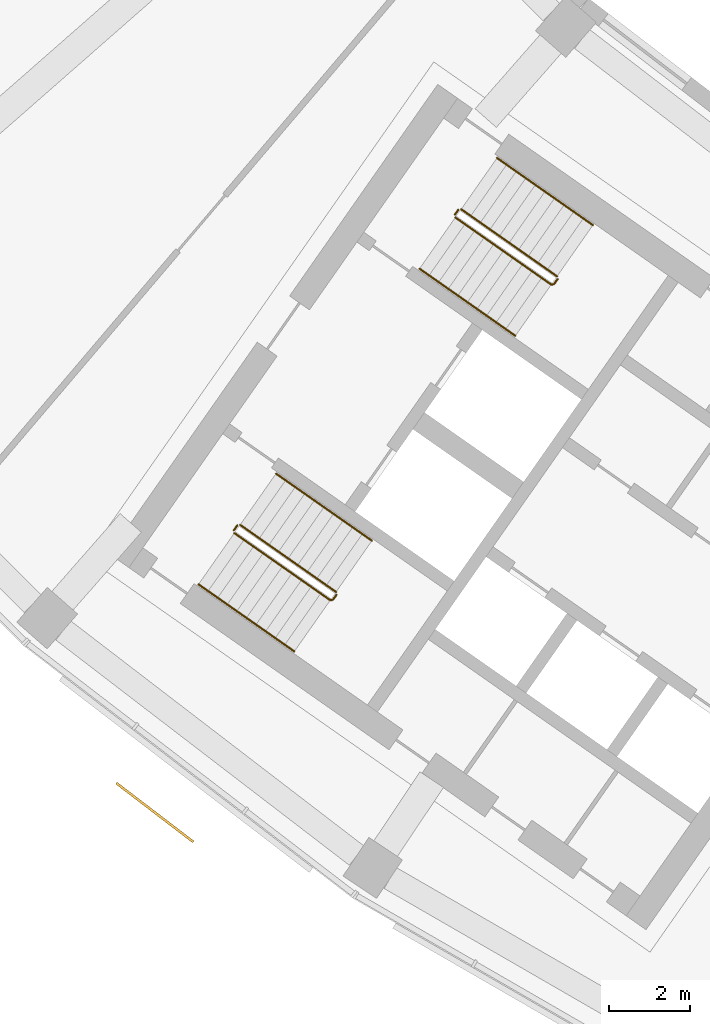
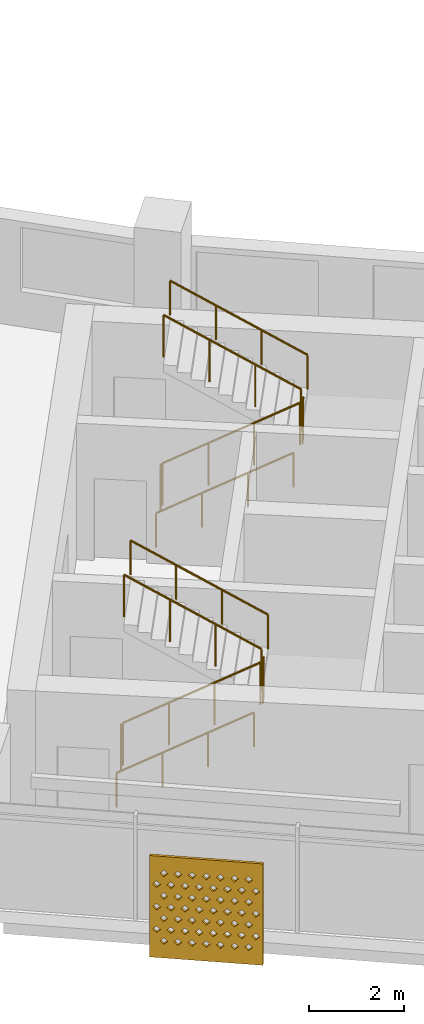
# One storey, part 23 of 27: 10 railings, 1 shading device.
"""IFC4 building model written with IfcOpenShell, lengths in metres."""

import ifcopenshell
import ifcopenshell.guid

model = None  # the IFC model being written
_history = None  # IfcOwnerHistory: only IFC2X3 demands one
_inside = {}  # id of a spatial element -> (the spatial element, [elements in it])
_under = {}  # id of a project, library or spatial element -> (it, [spatial elements below it])
_declared = {}  # id of a project -> (the project, [libraries it declares])
_typed = {}  # id of a type object -> (the type object, [elements of that type])
_made_of = {}  # id of a material, layer set ... -> (it, [elements and type objects made of it])


def new_model(schema):
    """Start an empty IFC model of exactly this schema.

    Asked for "IFC4X3", IfcOpenShell would pick the latest addendum, in which some entities
    have other attributes; the version numbers below select the first issue.
    IFC2X3 requires an IfcOwnerHistory on every rooted entity: one is made here for all.
    """
    global model, _history
    if schema == "IFC4X3":
        model = ifcopenshell.file(schema_version=(4, 3, 0, 0))
    else:
        model = ifcopenshell.file(schema=schema)
    _inside.clear()
    _under.clear()
    _declared.clear()
    _typed.clear()
    _made_of.clear()
    _history = None
    if model.schema == "IFC2X3":
        org = make("IfcOrganization", Name="unknown")
        user = make(
            "IfcPersonAndOrganization",
            ThePerson=make("IfcPerson", FamilyName="unknown"),
            TheOrganization=org,
        )
        app = make(
            "IfcApplication",
            ApplicationDeveloper=org,
            Version="unknown",
            ApplicationFullName="unknown",
            ApplicationIdentifier="unknown",
        )
        _history = make(
            "IfcOwnerHistory",
            OwningUser=user,
            OwningApplication=app,
            ChangeAction="ADDED",
            CreationDate=0,
        )
    return model


def make(cls, **values):
    """One entity of the class cls with the attributes given. An attribute that is None is left unset."""
    return model.create_entity(
        cls, **{name: value for name, value in values.items() if value is not None}
    )


def rooted(cls, **values):
    """An entity with a GlobalId (a new one), such as an element, a storey or a relation."""
    return make(cls, GlobalId=ifcopenshell.guid.new(), OwnerHistory=_history, **values)


def si_unit(unit_type, name, prefix=None):
    """IfcSIUnit, for example si_unit("LENGTHUNIT", "METRE", prefix="MILLI")."""
    return make("IfcSIUnit", UnitType=unit_type, Prefix=prefix, Name=name)


def assignment(units):
    """IfcUnitAssignment: the units of a project."""
    return None if units is None else make("IfcUnitAssignment", Units=units)


def point(xyz):
    """IfcCartesianPoint."""
    return None if xyz is None else make("IfcCartesianPoint", Coordinates=xyz)


def direction(xyz):
    """IfcDirection."""
    return None if xyz is None else make("IfcDirection", DirectionRatios=xyz)


def frame(location, z_axis=None, x_axis=None):
    """IfcAxis2Placement3D, a coordinate frame: its origin and axes. An axis left out is left unset."""
    return make(
        "IfcAxis2Placement3D",
        Location=point(location),
        Axis=direction(z_axis),
        RefDirection=direction(x_axis),
    )


def frame_2d(location, x_axis=None):
    """IfcAxis2Placement2D, a coordinate frame in the plane: its origin and x axis."""
    return make(
        "IfcAxis2Placement2D", Location=point(location), RefDirection=direction(x_axis)
    )


def origin():
    """The frame at (0, 0, 0) with its axes left unset."""
    return frame((0.0, 0.0, 0.0))


def origin_2d():
    """The frame at (0, 0) in the plane with its x axis left unset."""
    return frame_2d((0.0, 0.0))


def place(relative_to, where):
    """IfcLocalPlacement: puts the frame where relative to a parent placement (None: the world)."""
    return make(
        "IfcLocalPlacement", PlacementRelTo=relative_to, RelativePlacement=where
    )


def context(
    kind, dimensions, precision=None, world=None, true_north=None, identifier=None
):
    """IfcGeometricRepresentationContext, for example the 3D "Model" context."""
    return make(
        "IfcGeometricRepresentationContext",
        ContextIdentifier=identifier,
        ContextType=kind,
        CoordinateSpaceDimension=dimensions,
        Precision=precision,
        WorldCoordinateSystem=world,
        TrueNorth=true_north,
    )


def subcontext(parent, identifier, kind, view, scale=None):
    """IfcGeometricRepresentationSubContext, for example "Body" below "Model"."""
    return make(
        "IfcGeometricRepresentationSubContext",
        ContextIdentifier=identifier,
        ContextType=kind,
        ParentContext=parent,
        TargetScale=scale,
        TargetView=view,
    )


def project(units=None, contexts=None):
    """IfcProject with its units and contexts."""
    return rooted(
        "IfcProject",
        Name="project",
        RepresentationContexts=contexts,
        UnitsInContext=assignment(units),
    )


def spatial(cls, under=None, at=None, **own):
    """A site, building, storey or space (cls), placed at a placement, below another one or the project."""
    s = rooted(cls, ObjectPlacement=at, **own)
    if under is not None:
        _under.setdefault(under.id(), (under, []))[1].append(s)
    return s


def polyline(points):
    """IfcPolyline through the points."""
    return make("IfcPolyline", Points=[point(p) for p in points])


def profile(cls, at=None, kind="AREA", **sizes):
    """A parametric profile (cls). Its sizes go by their IFC names, for example OverallWidth=200.0."""
    return make(cls, ProfileType=kind, Position=at, **sizes)


def circle(**sizes):
    """IfcCircleProfileDef."""
    return profile("IfcCircleProfileDef", **sizes)


def outline(outer, holes=None, kind="AREA"):
    """IfcArbitraryClosedProfileDef: a profile drawn as a closed curve; with holes, ...WithVoids."""
    if holes is None:
        return make("IfcArbitraryClosedProfileDef", ProfileType=kind, OuterCurve=outer)
    return make(
        "IfcArbitraryProfileDefWithVoids",
        ProfileType=kind,
        OuterCurve=outer,
        InnerCurves=holes,
    )


def extrude(swept, where, along, depth):
    """IfcExtrudedAreaSolid: the profile swept, set in the frame where, extruded along a direction by depth."""
    return make(
        "IfcExtrudedAreaSolid",
        SweptArea=swept,
        Position=where,
        ExtrudedDirection=direction(along),
        Depth=depth,
    )


def shape(context_of_items, identifier, shape_type, items):
    """IfcShapeRepresentation: the items that make up one representation, for example the "Body"."""
    return make(
        "IfcShapeRepresentation",
        ContextOfItems=context_of_items,
        RepresentationIdentifier=identifier,
        RepresentationType=shape_type,
        Items=items,
    )


def material(Name=None, Category=None):
    """IfcMaterial."""
    return make("IfcMaterial", Name=Name, Category=Category)


def material_profile(
    of_material, cross_section, Name=None, Category=None, Priority=None
):
    """IfcMaterialProfile: a cross section and its material."""
    return make(
        "IfcMaterialProfile",
        Name=Name,
        Material=of_material,
        Profile=cross_section,
        Priority=Priority,
        Category=Category,
    )


def profile_set(profiles, Name=None, composite=None):
    """IfcMaterialProfileSet."""
    return make(
        "IfcMaterialProfileSet",
        Name=Name,
        MaterialProfiles=profiles,
        CompositeProfile=composite,
    )


def made_of(thing, what):
    """Note that an element or type object is made of a material, layer set ...; save() writes the relation."""
    if what is not None:
        _made_of.setdefault(what.id(), (what, []))[1].append(thing)
    return thing


def type_object(cls, material=None, **own):
    """A type object (cls), such as IfcWallType, which elements share."""
    return made_of(rooted(cls, **own), material)


def element(
    cls,
    number,
    at=None,
    inside=None,
    cuts=None,
    type_object=None,
    material=None,
    context=None,
    identifier="Body",
    shape_type=None,
    held_by="IfcProductDefinitionShape",
    body=None,
    shapes=None,
    **own,
):
    """One element of the class cls, such as IfcWall. Its Tag is "e" and its number.

    at: its placement. inside: the storey or other place that contains it. cuts: it is an
    opening in that element (IfcRelVoidsElement). A single representation is given by context,
    identifier, shape_type and body (its items); several are given by shapes. held_by: the class
    of the entity that holds the representations. save() writes the other relations.
    """
    e = rooted(cls, Tag="e%d" % number, ObjectPlacement=at, **own)
    if body is not None:
        shapes = [shape(context, identifier, shape_type, body)]
    if shapes is not None:
        e.Representation = make(held_by, Representations=shapes)
    if inside is not None:
        _inside.setdefault(inside.id(), (inside, []))[1].append(e)
    if cuts is not None:
        rooted(
            "IfcRelVoidsElement", RelatingBuildingElement=cuts, RelatedOpeningElement=e
        )
    if type_object is not None:
        _typed.setdefault(type_object.id(), (type_object, []))[1].append(e)
    return made_of(e, material)


def aggregate(whole, parts):
    """IfcRelAggregates: a whole, such as a stair, and the parts it consists of."""
    return rooted("IfcRelAggregates", RelatingObject=whole, RelatedObjects=parts)


def save(model, path):
    """Write the relations noted so far, then the file.

    IfcRelAggregates (storeys below a building ...), IfcRelContainedInSpatialStructure (elements
    in a storey), IfcRelDefinesByType, IfcRelAssociatesMaterial and IfcRelDeclares: one each for
    every whole, place, type object, material and project.
    """
    for whole, parts in _under.values():
        aggregate(whole, parts)
    for where, things in _inside.values():
        rooted(
            "IfcRelContainedInSpatialStructure",
            RelatedElements=things,
            RelatingStructure=where,
        )
    for kind, things in _typed.values():
        rooted("IfcRelDefinesByType", RelatedObjects=things, RelatingType=kind)
    for what, things in _made_of.values():
        rooted("IfcRelAssociatesMaterial", RelatedObjects=things, RelatingMaterial=what)
    for by, libraries in _declared.values():
        rooted("IfcRelDeclares", RelatingContext=by, RelatedDefinitions=libraries)
    model.write(path)


model = new_model("IFC4")

# Units and contexts
model_context = context("Model", 3, precision=1e-05, world=origin(), true_north=direction((0.0, 1.0)))
body_context = subcontext(model_context, "Body", "Model", "MODEL_VIEW")
ifc_project = project(units=[si_unit("LENGTHUNIT", "METRE"), si_unit("AREAUNIT", "SQUARE_METRE"), si_unit("VOLUMEUNIT", "CUBIC_METRE"), si_unit("PLANEANGLEUNIT", "RADIAN"), si_unit("MASSUNIT", "GRAM", prefix="KILO")], contexts=[model_context])

# Site, building, storey
site_placement = place(None, origin())
site = spatial("IfcSite", under=ifc_project, at=site_placement, CompositionType="ELEMENT")
building_placement = place(site_placement, origin())
building = spatial("IfcBuilding", under=site, at=building_placement, Name="Qamariyya Broadcast Tower", CompositionType="ELEMENT")
storey_placement = place(building_placement, frame((0.0, 0.0, 222.699951171875)))
storey = spatial("IfcBuildingStorey", under=building, at=storey_placement, Name="L53", CompositionType="ELEMENT", Elevation=222.699951171875)

# Shading device
ifc_material_1 = material(Name="Perforated glazed terracotta", Category="masonry")
ifc_material_profile = material_profile(ifc_material_1, outline(polyline([(-1.199951171875, -1.300048828125), (1.199951171875, -1.300048828125), (1.199951171875, 1.300048828125), (-1.199951171875, 1.300048828125), (-1.199951171875, -1.300048828125)]), holes=[polyline([(-0.81494140625, -0.86669921875), (-0.89990234375, -0.78173828125), (-0.985107421875, -0.86669921875), (-0.89990234375, -0.95166015625), (-0.81494140625, -0.86669921875)]), polyline([(-0.514892578125, -0.86669921875), (-0.60009765625, -0.78173828125), (-0.68505859375, -0.86669921875), (-0.60009765625, -0.95166015625), (-0.514892578125, -0.86669921875)]), polyline([(-0.215087890625, -0.86669921875), (-0.300048828125, -0.78173828125), (-0.385009765625, -0.86669921875), (-0.300048828125, -0.95166015625), (-0.215087890625, -0.86669921875)]), polyline([(0.0849609375, -0.86669921875), (0.0, -0.78173828125), (-0.0849609375, -0.86669921875), (0.0, -0.95166015625), (0.0849609375, -0.86669921875)]), polyline([(0.385009765625, -0.86669921875), (0.300048828125, -0.78173828125), (0.215087890625, -0.86669921875), (0.300048828125, -0.95166015625), (0.385009765625, -0.86669921875)]), polyline([(0.68505859375, -0.86669921875), (0.60009765625, -0.78173828125), (0.514892578125, -0.86669921875), (0.60009765625, -0.95166015625), (0.68505859375, -0.86669921875)]), polyline([(0.985107421875, -0.86669921875), (0.89990234375, -0.78173828125), (0.81494140625, -0.86669921875), (0.89990234375, -0.95166015625), (0.985107421875, -0.86669921875)]), polyline([(-0.965087890625, -0.577880859375), (-1.050048828125, -0.49267578125), (-1.135009765625, -0.577880859375), (-1.050048828125, -0.662841796875), (-0.965087890625, -0.577880859375)]), polyline([(-0.6650390625, -0.577880859375), (-0.75, -0.49267578125), (-0.8349609375, -0.577880859375), (-0.75, -0.662841796875), (-0.6650390625, -0.577880859375)]), polyline([(-0.364990234375, -0.577880859375), (-0.449951171875, -0.49267578125), (-0.534912109375, -0.577880859375), (-0.449951171875, -0.662841796875), (-0.364990234375, -0.577880859375)]), polyline([(-0.06494140625, -0.577880859375), (-0.14990234375, -0.49267578125), (-0.235107421875, -0.577880859375), (-0.14990234375, -0.662841796875), (-0.06494140625, -0.577880859375)]), polyline([(0.235107421875, -0.577880859375), (0.14990234375, -0.49267578125), (0.06494140625, -0.577880859375), (0.14990234375, -0.662841796875), (0.235107421875, -0.577880859375)]), polyline([(0.534912109375, -0.577880859375), (0.449951171875, -0.49267578125), (0.364990234375, -0.577880859375), (0.449951171875, -0.662841796875), (0.534912109375, -0.577880859375)]), polyline([(0.8349609375, -0.577880859375), (0.75, -0.49267578125), (0.6650390625, -0.577880859375), (0.75, -0.662841796875), (0.8349609375, -0.577880859375)]), polyline([(1.135009765625, -0.577880859375), (1.050048828125, -0.49267578125), (0.965087890625, -0.577880859375), (1.050048828125, -0.662841796875), (1.135009765625, -0.577880859375)]), polyline([(-0.81494140625, -0.288818359375), (-0.89990234375, -0.203857421875), (-0.985107421875, -0.288818359375), (-0.89990234375, -0.373779296875), (-0.81494140625, -0.288818359375)]), polyline([(-0.514892578125, -0.288818359375), (-0.60009765625, -0.203857421875), (-0.68505859375, -0.288818359375), (-0.60009765625, -0.373779296875), (-0.514892578125, -0.288818359375)]), polyline([(-0.215087890625, -0.288818359375), (-0.300048828125, -0.203857421875), (-0.385009765625, -0.288818359375), (-0.300048828125, -0.373779296875), (-0.215087890625, -0.288818359375)]), polyline([(0.0849609375, -0.288818359375), (0.0, -0.203857421875), (-0.0849609375, -0.288818359375), (0.0, -0.373779296875), (0.0849609375, -0.288818359375)]), polyline([(0.385009765625, -0.288818359375), (0.300048828125, -0.203857421875), (0.215087890625, -0.288818359375), (0.300048828125, -0.373779296875), (0.385009765625, -0.288818359375)]), polyline([(0.68505859375, -0.288818359375), (0.60009765625, -0.203857421875), (0.514892578125, -0.288818359375), (0.60009765625, -0.373779296875), (0.68505859375, -0.288818359375)]), polyline([(0.985107421875, -0.288818359375), (0.89990234375, -0.203857421875), (0.81494140625, -0.288818359375), (0.89990234375, -0.373779296875), (0.985107421875, -0.288818359375)]), polyline([(-0.965087890625, 0.0), (-1.050048828125, 0.0849609375), (-1.135009765625, 0.0), (-1.050048828125, -0.0849609375), (-0.965087890625, 0.0)]), polyline([(-0.6650390625, 0.0), (-0.75, 0.0849609375), (-0.8349609375, 0.0), (-0.75, -0.0849609375), (-0.6650390625, 0.0)]), polyline([(-0.364990234375, 0.0), (-0.449951171875, 0.0849609375), (-0.534912109375, 0.0), (-0.449951171875, -0.0849609375), (-0.364990234375, 0.0)]), polyline([(-0.06494140625, 0.0), (-0.14990234375, 0.0849609375), (-0.235107421875, 0.0), (-0.14990234375, -0.0849609375), (-0.06494140625, 0.0)]), polyline([(0.235107421875, 0.0), (0.14990234375, 0.0849609375), (0.06494140625, 0.0), (0.14990234375, -0.0849609375), (0.235107421875, 0.0)]), polyline([(0.534912109375, 0.0), (0.449951171875, 0.0849609375), (0.364990234375, 0.0), (0.449951171875, -0.0849609375), (0.534912109375, 0.0)]), polyline([(0.8349609375, 0.0), (0.75, 0.0849609375), (0.6650390625, 0.0), (0.75, -0.0849609375), (0.8349609375, 0.0)]), polyline([(1.135009765625, 0.0), (1.050048828125, 0.0849609375), (0.965087890625, 0.0), (1.050048828125, -0.0849609375), (1.135009765625, 0.0)]), polyline([(-0.81494140625, 0.288818359375), (-0.89990234375, 0.373779296875), (-0.985107421875, 0.288818359375), (-0.89990234375, 0.203857421875), (-0.81494140625, 0.288818359375)]), polyline([(-0.514892578125, 0.288818359375), (-0.60009765625, 0.373779296875), (-0.68505859375, 0.288818359375), (-0.60009765625, 0.203857421875), (-0.514892578125, 0.288818359375)]), polyline([(-0.215087890625, 0.288818359375), (-0.300048828125, 0.373779296875), (-0.385009765625, 0.288818359375), (-0.300048828125, 0.203857421875), (-0.215087890625, 0.288818359375)]), polyline([(0.0849609375, 0.288818359375), (0.0, 0.373779296875), (-0.0849609375, 0.288818359375), (0.0, 0.203857421875), (0.0849609375, 0.288818359375)]), polyline([(0.385009765625, 0.288818359375), (0.300048828125, 0.373779296875), (0.215087890625, 0.288818359375), (0.300048828125, 0.203857421875), (0.385009765625, 0.288818359375)]), polyline([(0.68505859375, 0.288818359375), (0.60009765625, 0.373779296875), (0.514892578125, 0.288818359375), (0.60009765625, 0.203857421875), (0.68505859375, 0.288818359375)]), polyline([(0.985107421875, 0.288818359375), (0.89990234375, 0.373779296875), (0.81494140625, 0.288818359375), (0.89990234375, 0.203857421875), (0.985107421875, 0.288818359375)]), polyline([(-0.965087890625, 0.577880859375), (-1.050048828125, 0.662841796875), (-1.135009765625, 0.577880859375), (-1.050048828125, 0.49267578125), (-0.965087890625, 0.577880859375)]), polyline([(-0.6650390625, 0.577880859375), (-0.75, 0.662841796875), (-0.8349609375, 0.577880859375), (-0.75, 0.49267578125), (-0.6650390625, 0.577880859375)]), polyline([(-0.364990234375, 0.577880859375), (-0.449951171875, 0.662841796875), (-0.534912109375, 0.577880859375), (-0.449951171875, 0.49267578125), (-0.364990234375, 0.577880859375)]), polyline([(-0.06494140625, 0.577880859375), (-0.14990234375, 0.662841796875), (-0.235107421875, 0.577880859375), (-0.14990234375, 0.49267578125), (-0.06494140625, 0.577880859375)]), polyline([(0.235107421875, 0.577880859375), (0.14990234375, 0.662841796875), (0.06494140625, 0.577880859375), (0.14990234375, 0.49267578125), (0.235107421875, 0.577880859375)]), polyline([(0.534912109375, 0.577880859375), (0.449951171875, 0.662841796875), (0.364990234375, 0.577880859375), (0.449951171875, 0.49267578125), (0.534912109375, 0.577880859375)]), polyline([(0.8349609375, 0.577880859375), (0.75, 0.662841796875), (0.6650390625, 0.577880859375), (0.75, 0.49267578125), (0.8349609375, 0.577880859375)]), polyline([(1.135009765625, 0.577880859375), (1.050048828125, 0.662841796875), (0.965087890625, 0.577880859375), (1.050048828125, 0.49267578125), (1.135009765625, 0.577880859375)]), polyline([(-0.81494140625, 0.86669921875), (-0.89990234375, 0.95166015625), (-0.985107421875, 0.86669921875), (-0.89990234375, 0.78173828125), (-0.81494140625, 0.86669921875)]), polyline([(-0.514892578125, 0.86669921875), (-0.60009765625, 0.95166015625), (-0.68505859375, 0.86669921875), (-0.60009765625, 0.78173828125), (-0.514892578125, 0.86669921875)]), polyline([(-0.215087890625, 0.86669921875), (-0.300048828125, 0.95166015625), (-0.385009765625, 0.86669921875), (-0.300048828125, 0.78173828125), (-0.215087890625, 0.86669921875)]), polyline([(0.0849609375, 0.86669921875), (0.0, 0.95166015625), (-0.0849609375, 0.86669921875), (0.0, 0.78173828125), (0.0849609375, 0.86669921875)]), polyline([(0.385009765625, 0.86669921875), (0.300048828125, 0.95166015625), (0.215087890625, 0.86669921875), (0.300048828125, 0.78173828125), (0.385009765625, 0.86669921875)]), polyline([(0.68505859375, 0.86669921875), (0.60009765625, 0.95166015625), (0.514892578125, 0.86669921875), (0.60009765625, 0.78173828125), (0.68505859375, 0.86669921875)]), polyline([(0.985107421875, 0.86669921875), (0.89990234375, 0.95166015625), (0.81494140625, 0.86669921875), (0.89990234375, 0.78173828125), (0.985107421875, 0.86669921875)])]))
ifc_profile_set = profile_set([ifc_material_profile], Name="Perforated glazed terracotta")
shading_device_type = type_object("IfcShadingDeviceType", Name="Perforated terracotta screen 2400 x 2600", PredefinedType="USERDEFINED", material=ifc_profile_set)
shading_device_placement = place(storey_placement, frame((-48.578369140625, -63.249267578125, 1.35009765625), z_axis=(-0.607147566278, -0.794589096806, 0.0), x_axis=(0.794589096806, -0.607147566278, 0.0)))
element("IfcShadingDevice", 1, at=shading_device_placement, inside=storey, type_object=shading_device_type, Name="e-scr-L53-03-1", ObjectType="SCREEN", PredefinedType="USERDEFINED", context=body_context, shape_type="SweptSolid", body=[
    extrude(outline(polyline([(-1.199951171875, -1.300048828125), (1.199951171875, -1.300048828125), (1.199951171875, 1.300048828125), (-1.199951171875, 1.300048828125), (-1.199951171875, -1.300048828125)]), holes=[polyline([(-0.81494140625, -0.86669921875), (-0.89990234375, -0.78173828125), (-0.985107421875, -0.86669921875), (-0.89990234375, -0.95166015625), (-0.81494140625, -0.86669921875)]), polyline([(-0.514892578125, -0.86669921875), (-0.60009765625, -0.78173828125), (-0.68505859375, -0.86669921875), (-0.60009765625, -0.95166015625), (-0.514892578125, -0.86669921875)]), polyline([(-0.215087890625, -0.86669921875), (-0.300048828125, -0.78173828125), (-0.385009765625, -0.86669921875), (-0.300048828125, -0.95166015625), (-0.215087890625, -0.86669921875)]), polyline([(0.0849609375, -0.86669921875), (0.0, -0.78173828125), (-0.0849609375, -0.86669921875), (0.0, -0.95166015625), (0.0849609375, -0.86669921875)]), polyline([(0.385009765625, -0.86669921875), (0.300048828125, -0.78173828125), (0.215087890625, -0.86669921875), (0.300048828125, -0.95166015625), (0.385009765625, -0.86669921875)]), polyline([(0.68505859375, -0.86669921875), (0.60009765625, -0.78173828125), (0.514892578125, -0.86669921875), (0.60009765625, -0.95166015625), (0.68505859375, -0.86669921875)]), polyline([(0.985107421875, -0.86669921875), (0.89990234375, -0.78173828125), (0.81494140625, -0.86669921875), (0.89990234375, -0.95166015625), (0.985107421875, -0.86669921875)]), polyline([(-0.965087890625, -0.577880859375), (-1.050048828125, -0.49267578125), (-1.135009765625, -0.577880859375), (-1.050048828125, -0.662841796875), (-0.965087890625, -0.577880859375)]), polyline([(-0.6650390625, -0.577880859375), (-0.75, -0.49267578125), (-0.8349609375, -0.577880859375), (-0.75, -0.662841796875), (-0.6650390625, -0.577880859375)]), polyline([(-0.364990234375, -0.577880859375), (-0.449951171875, -0.49267578125), (-0.534912109375, -0.577880859375), (-0.449951171875, -0.662841796875), (-0.364990234375, -0.577880859375)]), polyline([(-0.06494140625, -0.577880859375), (-0.14990234375, -0.49267578125), (-0.235107421875, -0.577880859375), (-0.14990234375, -0.662841796875), (-0.06494140625, -0.577880859375)]), polyline([(0.235107421875, -0.577880859375), (0.14990234375, -0.49267578125), (0.06494140625, -0.577880859375), (0.14990234375, -0.662841796875), (0.235107421875, -0.577880859375)]), polyline([(0.534912109375, -0.577880859375), (0.449951171875, -0.49267578125), (0.364990234375, -0.577880859375), (0.449951171875, -0.662841796875), (0.534912109375, -0.577880859375)]), polyline([(0.8349609375, -0.577880859375), (0.75, -0.49267578125), (0.6650390625, -0.577880859375), (0.75, -0.662841796875), (0.8349609375, -0.577880859375)]), polyline([(1.135009765625, -0.577880859375), (1.050048828125, -0.49267578125), (0.965087890625, -0.577880859375), (1.050048828125, -0.662841796875), (1.135009765625, -0.577880859375)]), polyline([(-0.81494140625, -0.288818359375), (-0.89990234375, -0.203857421875), (-0.985107421875, -0.288818359375), (-0.89990234375, -0.373779296875), (-0.81494140625, -0.288818359375)]), polyline([(-0.514892578125, -0.288818359375), (-0.60009765625, -0.203857421875), (-0.68505859375, -0.288818359375), (-0.60009765625, -0.373779296875), (-0.514892578125, -0.288818359375)]), polyline([(-0.215087890625, -0.288818359375), (-0.300048828125, -0.203857421875), (-0.385009765625, -0.288818359375), (-0.300048828125, -0.373779296875), (-0.215087890625, -0.288818359375)]), polyline([(0.0849609375, -0.288818359375), (0.0, -0.203857421875), (-0.0849609375, -0.288818359375), (0.0, -0.373779296875), (0.0849609375, -0.288818359375)]), polyline([(0.385009765625, -0.288818359375), (0.300048828125, -0.203857421875), (0.215087890625, -0.288818359375), (0.300048828125, -0.373779296875), (0.385009765625, -0.288818359375)]), polyline([(0.68505859375, -0.288818359375), (0.60009765625, -0.203857421875), (0.514892578125, -0.288818359375), (0.60009765625, -0.373779296875), (0.68505859375, -0.288818359375)]), polyline([(0.985107421875, -0.288818359375), (0.89990234375, -0.203857421875), (0.81494140625, -0.288818359375), (0.89990234375, -0.373779296875), (0.985107421875, -0.288818359375)]), polyline([(-0.965087890625, 0.0), (-1.050048828125, 0.0849609375), (-1.135009765625, 0.0), (-1.050048828125, -0.0849609375), (-0.965087890625, 0.0)]), polyline([(-0.6650390625, 0.0), (-0.75, 0.0849609375), (-0.8349609375, 0.0), (-0.75, -0.0849609375), (-0.6650390625, 0.0)]), polyline([(-0.364990234375, 0.0), (-0.449951171875, 0.0849609375), (-0.534912109375, 0.0), (-0.449951171875, -0.0849609375), (-0.364990234375, 0.0)]), polyline([(-0.06494140625, 0.0), (-0.14990234375, 0.0849609375), (-0.235107421875, 0.0), (-0.14990234375, -0.0849609375), (-0.06494140625, 0.0)]), polyline([(0.235107421875, 0.0), (0.14990234375, 0.0849609375), (0.06494140625, 0.0), (0.14990234375, -0.0849609375), (0.235107421875, 0.0)]), polyline([(0.534912109375, 0.0), (0.449951171875, 0.0849609375), (0.364990234375, 0.0), (0.449951171875, -0.0849609375), (0.534912109375, 0.0)]), polyline([(0.8349609375, 0.0), (0.75, 0.0849609375), (0.6650390625, 0.0), (0.75, -0.0849609375), (0.8349609375, 0.0)]), polyline([(1.135009765625, 0.0), (1.050048828125, 0.0849609375), (0.965087890625, 0.0), (1.050048828125, -0.0849609375), (1.135009765625, 0.0)]), polyline([(-0.81494140625, 0.288818359375), (-0.89990234375, 0.373779296875), (-0.985107421875, 0.288818359375), (-0.89990234375, 0.203857421875), (-0.81494140625, 0.288818359375)]), polyline([(-0.514892578125, 0.288818359375), (-0.60009765625, 0.373779296875), (-0.68505859375, 0.288818359375), (-0.60009765625, 0.203857421875), (-0.514892578125, 0.288818359375)]), polyline([(-0.215087890625, 0.288818359375), (-0.300048828125, 0.373779296875), (-0.385009765625, 0.288818359375), (-0.300048828125, 0.203857421875), (-0.215087890625, 0.288818359375)]), polyline([(0.0849609375, 0.288818359375), (0.0, 0.373779296875), (-0.0849609375, 0.288818359375), (0.0, 0.203857421875), (0.0849609375, 0.288818359375)]), polyline([(0.385009765625, 0.288818359375), (0.300048828125, 0.373779296875), (0.215087890625, 0.288818359375), (0.300048828125, 0.203857421875), (0.385009765625, 0.288818359375)]), polyline([(0.68505859375, 0.288818359375), (0.60009765625, 0.373779296875), (0.514892578125, 0.288818359375), (0.60009765625, 0.203857421875), (0.68505859375, 0.288818359375)]), polyline([(0.985107421875, 0.288818359375), (0.89990234375, 0.373779296875), (0.81494140625, 0.288818359375), (0.89990234375, 0.203857421875), (0.985107421875, 0.288818359375)]), polyline([(-0.965087890625, 0.577880859375), (-1.050048828125, 0.662841796875), (-1.135009765625, 0.577880859375), (-1.050048828125, 0.49267578125), (-0.965087890625, 0.577880859375)]), polyline([(-0.6650390625, 0.577880859375), (-0.75, 0.662841796875), (-0.8349609375, 0.577880859375), (-0.75, 0.49267578125), (-0.6650390625, 0.577880859375)]), polyline([(-0.364990234375, 0.577880859375), (-0.449951171875, 0.662841796875), (-0.534912109375, 0.577880859375), (-0.449951171875, 0.49267578125), (-0.364990234375, 0.577880859375)]), polyline([(-0.06494140625, 0.577880859375), (-0.14990234375, 0.662841796875), (-0.235107421875, 0.577880859375), (-0.14990234375, 0.49267578125), (-0.06494140625, 0.577880859375)]), polyline([(0.235107421875, 0.577880859375), (0.14990234375, 0.662841796875), (0.06494140625, 0.577880859375), (0.14990234375, 0.49267578125), (0.235107421875, 0.577880859375)]), polyline([(0.534912109375, 0.577880859375), (0.449951171875, 0.662841796875), (0.364990234375, 0.577880859375), (0.449951171875, 0.49267578125), (0.534912109375, 0.577880859375)]), polyline([(0.8349609375, 0.577880859375), (0.75, 0.662841796875), (0.6650390625, 0.577880859375), (0.75, 0.49267578125), (0.8349609375, 0.577880859375)]), polyline([(1.135009765625, 0.577880859375), (1.050048828125, 0.662841796875), (0.965087890625, 0.577880859375), (1.050048828125, 0.49267578125), (1.135009765625, 0.577880859375)]), polyline([(-0.81494140625, 0.86669921875), (-0.89990234375, 0.95166015625), (-0.985107421875, 0.86669921875), (-0.89990234375, 0.78173828125), (-0.81494140625, 0.86669921875)]), polyline([(-0.514892578125, 0.86669921875), (-0.60009765625, 0.95166015625), (-0.68505859375, 0.86669921875), (-0.60009765625, 0.78173828125), (-0.514892578125, 0.86669921875)]), polyline([(-0.215087890625, 0.86669921875), (-0.300048828125, 0.95166015625), (-0.385009765625, 0.86669921875), (-0.300048828125, 0.78173828125), (-0.215087890625, 0.86669921875)]), polyline([(0.0849609375, 0.86669921875), (0.0, 0.95166015625), (-0.0849609375, 0.86669921875), (0.0, 0.78173828125), (0.0849609375, 0.86669921875)]), polyline([(0.385009765625, 0.86669921875), (0.300048828125, 0.95166015625), (0.215087890625, 0.86669921875), (0.300048828125, 0.78173828125), (0.385009765625, 0.86669921875)]), polyline([(0.68505859375, 0.86669921875), (0.60009765625, 0.95166015625), (0.514892578125, 0.86669921875), (0.60009765625, 0.78173828125), (0.68505859375, 0.86669921875)]), polyline([(0.985107421875, 0.86669921875), (0.89990234375, 0.95166015625), (0.81494140625, 0.86669921875), (0.89990234375, 0.78173828125), (0.985107421875, 0.86669921875)])]), origin(), (0.0, 0.0, 1.0), 0.059814453125),
])

# Railings
ifc_material_2 = material(Name="Painted steel", Category="steel")
railing_type_1 = type_object("IfcRailingType", Name="Stair guard", PredefinedType="GUARDRAIL", material=ifc_material_2)
railing_1_placement = place(storey_placement, frame((-41.146728515625, -48.52490234375, 0.1728515625)))
element("IfcRailing", 2, at=railing_1_placement, inside=storey, type_object=railing_type_1, Name="L53 ST-W2 stair guard 1", PredefinedType="GUARDRAIL", context=body_context, shape_type="SweptSolid", body=[
    extrude(circle(Radius=0.02392578125, at=origin_2d()), frame((0.0, 0.0, 1.076171875), z_axis=(0.703770094002, -0.492783725636, 0.511734163933), x_axis=(0.573575343427, 0.819152809562, 0.0)), (0.0, 0.0, 1.0), 3.37548828125),
    extrude(circle(Radius=0.02392578125, at=origin_2d()), frame((2.37548828125, -1.663330078125, 2.80322265625), z_axis=(0.985059694769, 0.172213233351, 0.0), x_axis=(-0.172213233351, 0.985059694769, 0.0)), (0.0, 0.0, 1.0), 0.07080078125),
    extrude(circle(Radius=0.02392578125, at=origin_2d()), frame((2.4453125, -1.651123046875, 2.80322265625), z_axis=(0.572588637393, 0.819842821722, 0.0), x_axis=(-0.819842821722, 0.572588637393, 0.0)), (0.0, 0.0, 1.0), 0.150146484375),
    extrude(circle(Radius=0.02099609375, at=origin_2d()), origin(), (0.0, 0.0, 1.0), 1.052001953125),
    extrude(circle(Radius=0.02099609375, at=origin_2d()), frame((0.791748046875, -0.554443359375, 0.57568359375)), (0.0, 0.0, 1.0), 1.052001953125),
    extrude(circle(Radius=0.02099609375, at=origin_2d()), frame((1.583740234375, -1.10888671875, 1.151611328125)), (0.0, 0.0, 1.0), 1.052001953125),
    extrude(circle(Radius=0.02099609375, at=origin_2d()), frame((2.37548828125, -1.663330078125, 1.727294921875)), (0.0, 0.0, 1.0), 1.052001953125),
    extrude(circle(Radius=0.02099609375, at=origin_2d()), frame((2.4453125, -1.651123046875, 1.727294921875)), (0.0, 0.0, 1.0), 1.052001953125),
    extrude(circle(Radius=0.02099609375, at=origin_2d()), frame((2.53125, -1.528076171875, 1.727294921875)), (0.0, 0.0, 1.0), 1.052001953125),
])
railing_2_placement = place(storey_placement, frame((-38.627685546875, -49.9833984375, 2.07275390625)))
element("IfcRailing", 3, at=railing_2_placement, inside=storey, type_object=railing_type_1, Name="L53 ST-W2 stair guard 2", PredefinedType="GUARDRAIL", context=body_context, shape_type="SweptSolid", body=[
    extrude(circle(Radius=0.02392578125, at=origin_2d()), frame((0.0, 0.0, 1.076171875), z_axis=(-0.703770094002, 0.492783725636, 0.511734163933), x_axis=(-0.573575343427, -0.819152809562, 0.0)), (0.0, 0.0, 1.0), 3.37548828125),
    extrude(circle(Radius=0.02099609375, at=origin_2d()), origin(), (0.0, 0.0, 1.0), 1.052001953125),
    extrude(circle(Radius=0.02099609375, at=origin_2d()), frame((-0.791748046875, 0.554443359375, 0.57568359375)), (0.0, 0.0, 1.0), 1.052001953125),
    extrude(circle(Radius=0.02099609375, at=origin_2d()), frame((-1.583740234375, 1.10888671875, 1.151611328125)), (0.0, 0.0, 1.0), 1.052001953125),
    extrude(circle(Radius=0.02099609375, at=origin_2d()), frame((-2.37548828125, 1.663330078125, 1.727294921875)), (0.0, 0.0, 1.0), 1.052001953125),
])
railing_3_placement = place(storey_placement, frame((-41.158935546875, -48.455322265625, 0.0)))
element("IfcRailing", 4, at=railing_3_placement, inside=storey, type_object=railing_type_1, Name="L53 ST-W2 stair guard 3", PredefinedType="GUARDRAIL", context=body_context, shape_type="SweptSolid", body=[
    extrude(circle(Radius=0.02392578125, at=origin_2d()), frame((0.0, 0.0, 1.076171875), z_axis=(0.572588637393, 0.819842821722, 0.0), x_axis=(-0.819842821722, 0.572588637393, 0.0)), (0.0, 0.0, 1.0), 0.150146484375),
    extrude(circle(Radius=0.02099609375, at=origin_2d()), origin(), (0.0, 0.0, 1.0), 1.052001953125),
    extrude(circle(Radius=0.02099609375, at=origin_2d()), frame((0.0859375, 0.123046875, 0.0)), (0.0, 0.0, 1.0), 1.052001953125),
])
railing_4_placement = place(storey_placement, frame((-46.624267578125, -56.34765625, 0.1728515625)))
element("IfcRailing", 5, at=railing_4_placement, inside=storey, type_object=railing_type_1, Name="L53 ST-W1 stair guard 1", PredefinedType="GUARDRAIL", context=body_context, shape_type="SweptSolid", body=[
    extrude(circle(Radius=0.02392578125, at=origin_2d()), frame((0.0, 0.0, 1.076171875), z_axis=(0.703745009021, -0.492838488332, 0.511715923826), x_axis=(0.573631830683, 0.819113253969, 0.0)), (0.0, 0.0, 1.0), 3.37548828125),
    extrude(circle(Radius=0.02392578125, at=origin_2d()), frame((2.37548828125, -1.66357421875, 2.80322265625), z_axis=(0.984363469884, 0.176149252506, 0.0), x_axis=(-0.176149252506, 0.984363469884, 0.0)), (0.0, 0.0, 1.0), 0.07080078125),
    extrude(circle(Radius=0.02392578125, at=origin_2d()), frame((2.445068359375, -1.651123046875, 2.80322265625), z_axis=(0.574444878118, 0.818543268254, 0.0), x_axis=(-0.818543268254, 0.574444878118, 0.0)), (0.0, 0.0, 1.0), 0.150146484375),
    extrude(circle(Radius=0.02099609375, at=origin_2d()), origin(), (0.0, 0.0, 1.0), 1.052001953125),
    extrude(circle(Radius=0.02099609375, at=origin_2d()), frame((0.791748046875, -0.554443359375, 0.57568359375)), (0.0, 0.0, 1.0), 1.052001953125),
    extrude(circle(Radius=0.02099609375, at=origin_2d()), frame((1.583740234375, -1.109130859375, 1.151611328125)), (0.0, 0.0, 1.0), 1.052001953125),
    extrude(circle(Radius=0.02099609375, at=origin_2d()), frame((2.37548828125, -1.66357421875, 1.727294921875)), (0.0, 0.0, 1.0), 1.052001953125),
    extrude(circle(Radius=0.02099609375, at=origin_2d()), frame((2.445068359375, -1.651123046875, 1.727294921875)), (0.0, 0.0, 1.0), 1.052001953125),
    extrude(circle(Radius=0.02099609375, at=origin_2d()), frame((2.53125, -1.5283203125, 1.727294921875)), (0.0, 0.0, 1.0), 1.052001953125),
])
railing_5_placement = place(storey_placement, frame((-44.10546875, -57.806396484375, 2.07275390625)))
element("IfcRailing", 6, at=railing_5_placement, inside=storey, type_object=railing_type_1, Name="L53 ST-W1 stair guard 2", PredefinedType="GUARDRAIL", context=body_context, shape_type="SweptSolid", body=[
    extrude(circle(Radius=0.02392578125, at=origin_2d()), frame((0.0, 0.0, 1.076171875), z_axis=(-0.703770094002, 0.492783725636, 0.511734163933), x_axis=(-0.573575343427, -0.819152809562, 0.0)), (0.0, 0.0, 1.0), 3.37548828125),
    extrude(circle(Radius=0.02099609375, at=origin_2d()), origin(), (0.0, 0.0, 1.0), 1.052001953125),
    extrude(circle(Radius=0.02099609375, at=origin_2d()), frame((-0.791748046875, 0.554443359375, 0.57568359375)), (0.0, 0.0, 1.0), 1.052001953125),
    extrude(circle(Radius=0.02099609375, at=origin_2d()), frame((-1.583740234375, 1.10888671875, 1.151611328125)), (0.0, 0.0, 1.0), 1.052001953125),
    extrude(circle(Radius=0.02099609375, at=origin_2d()), frame((-2.37548828125, 1.663330078125, 1.727294921875)), (0.0, 0.0, 1.0), 1.052001953125),
])
railing_6_placement = place(storey_placement, frame((-46.63671875, -56.278076171875, 0.0)))
element("IfcRailing", 7, at=railing_6_placement, inside=storey, type_object=railing_type_1, Name="L53 ST-W1 stair guard 3", PredefinedType="GUARDRAIL", context=body_context, shape_type="SweptSolid", body=[
    extrude(circle(Radius=0.02392578125, at=origin_2d()), frame((0.0, 0.0, 1.076171875), z_axis=(0.574444878118, 0.818543268254, 0.0), x_axis=(-0.818543268254, 0.574444878118, 0.0)), (0.0, 0.0, 1.0), 0.150146484375),
    extrude(circle(Radius=0.02099609375, at=origin_2d()), origin(), (0.0, 0.0, 1.0), 1.052001953125),
    extrude(circle(Radius=0.02099609375, at=origin_2d()), frame((0.086181640625, 0.122802734375, 0.0)), (0.0, 0.0, 1.0), 1.052001953125),
])
ifc_material_3 = material(Name="Stainless steel", Category="steel")
railing_type_2 = type_object("IfcRailingType", Name="Stair handrail", PredefinedType="HANDRAIL", material=ifc_material_3)
railing_7_placement = place(storey_placement, frame((-42.03564453125, -49.79443359375, 0.1728515625)))
element("IfcRailing", 8, at=railing_7_placement, inside=storey, type_object=railing_type_2, Name="L53 ST-W2 stair handrail 1", PredefinedType="HANDRAIL", context=body_context, shape_type="SweptSolid", body=[
    extrude(circle(Radius=0.02392578125, at=origin_2d()), frame((0.0, 0.0, 0.8759765625), z_axis=(0.703745009021, -0.492838488332, 0.511715923826), x_axis=(0.573631830683, 0.819113253969, 0.0)), (0.0, 0.0, 1.0), 3.37548828125),
    extrude(circle(Radius=0.02099609375, at=origin_2d()), origin(), (0.0, 0.0, 1.0), 0.851806640625),
    extrude(circle(Radius=0.02099609375, at=origin_2d()), frame((0.791748046875, -0.554443359375, 0.57568359375)), (0.0, 0.0, 1.0), 0.851806640625),
    extrude(circle(Radius=0.02099609375, at=origin_2d()), frame((1.583740234375, -1.109130859375, 1.151611328125)), (0.0, 0.0, 1.0), 0.851806640625),
    extrude(circle(Radius=0.02099609375, at=origin_2d()), frame((2.37548828125, -1.66357421875, 1.727294921875)), (0.0, 0.0, 1.0), 0.851806640625),
])
railing_8_placement = place(storey_placement, frame((-37.73876953125, -48.7138671875, 2.07275390625)))
element("IfcRailing", 9, at=railing_8_placement, inside=storey, type_object=railing_type_2, Name="L53 ST-W2 stair handrail 2", PredefinedType="HANDRAIL", context=body_context, shape_type="SweptSolid", body=[
    extrude(circle(Radius=0.02392578125, at=origin_2d()), frame((0.0, 0.0, 0.8759765625), z_axis=(-0.703745009021, 0.492838488332, 0.511715923826), x_axis=(-0.573631830683, -0.819113253969, 0.0)), (0.0, 0.0, 1.0), 3.37548828125),
    extrude(circle(Radius=0.02099609375, at=origin_2d()), origin(), (0.0, 0.0, 1.0), 0.851806640625),
    extrude(circle(Radius=0.02099609375, at=origin_2d()), frame((-0.791748046875, 0.554443359375, 0.57568359375)), (0.0, 0.0, 1.0), 0.851806640625),
    extrude(circle(Radius=0.02099609375, at=origin_2d()), frame((-1.583740234375, 1.109130859375, 1.151611328125)), (0.0, 0.0, 1.0), 0.851806640625),
    extrude(circle(Radius=0.02099609375, at=origin_2d()), frame((-2.37548828125, 1.66357421875, 1.727294921875)), (0.0, 0.0, 1.0), 0.851806640625),
])
railing_9_placement = place(storey_placement, frame((-47.513427734375, -57.617431640625, 0.1728515625)))
element("IfcRailing", 10, at=railing_9_placement, inside=storey, type_object=railing_type_2, Name="L53 ST-W1 stair handrail 1", PredefinedType="HANDRAIL", context=body_context, shape_type="SweptSolid", body=[
    extrude(circle(Radius=0.02392578125, at=origin_2d()), frame((0.0, 0.0, 0.8759765625), z_axis=(0.703770094002, -0.492783725636, 0.511734163933), x_axis=(0.573575343427, 0.819152809562, 0.0)), (0.0, 0.0, 1.0), 3.37548828125),
    extrude(circle(Radius=0.02099609375, at=origin_2d()), origin(), (0.0, 0.0, 1.0), 0.851806640625),
    extrude(circle(Radius=0.02099609375, at=origin_2d()), frame((0.791748046875, -0.554443359375, 0.57568359375)), (0.0, 0.0, 1.0), 0.851806640625),
    extrude(circle(Radius=0.02099609375, at=origin_2d()), frame((1.583740234375, -1.10888671875, 1.151611328125)), (0.0, 0.0, 1.0), 0.851806640625),
    extrude(circle(Radius=0.02099609375, at=origin_2d()), frame((2.37548828125, -1.663330078125, 1.727294921875)), (0.0, 0.0, 1.0), 0.851806640625),
])
railing_10_placement = place(storey_placement, frame((-43.21630859375, -56.53662109375, 2.07275390625)))
element("IfcRailing", 11, at=railing_10_placement, inside=storey, type_object=railing_type_2, Name="L53 ST-W1 stair handrail 2", PredefinedType="HANDRAIL", context=body_context, shape_type="SweptSolid", body=[
    extrude(circle(Radius=0.02392578125, at=origin_2d()), frame((0.0, 0.0, 0.8759765625), z_axis=(-0.703770094002, 0.492783725636, 0.511734163933), x_axis=(-0.573575343427, -0.819152809562, 0.0)), (0.0, 0.0, 1.0), 3.37548828125),
    extrude(circle(Radius=0.02099609375, at=origin_2d()), origin(), (0.0, 0.0, 1.0), 0.851806640625),
    extrude(circle(Radius=0.02099609375, at=origin_2d()), frame((-0.791748046875, 0.554443359375, 0.57568359375)), (0.0, 0.0, 1.0), 0.851806640625),
    extrude(circle(Radius=0.02099609375, at=origin_2d()), frame((-1.583740234375, 1.10888671875, 1.151611328125)), (0.0, 0.0, 1.0), 0.851806640625),
    extrude(circle(Radius=0.02099609375, at=origin_2d()), frame((-2.37548828125, 1.663330078125, 1.727294921875)), (0.0, 0.0, 1.0), 0.851806640625),
])

save(model, "model.ifc")
